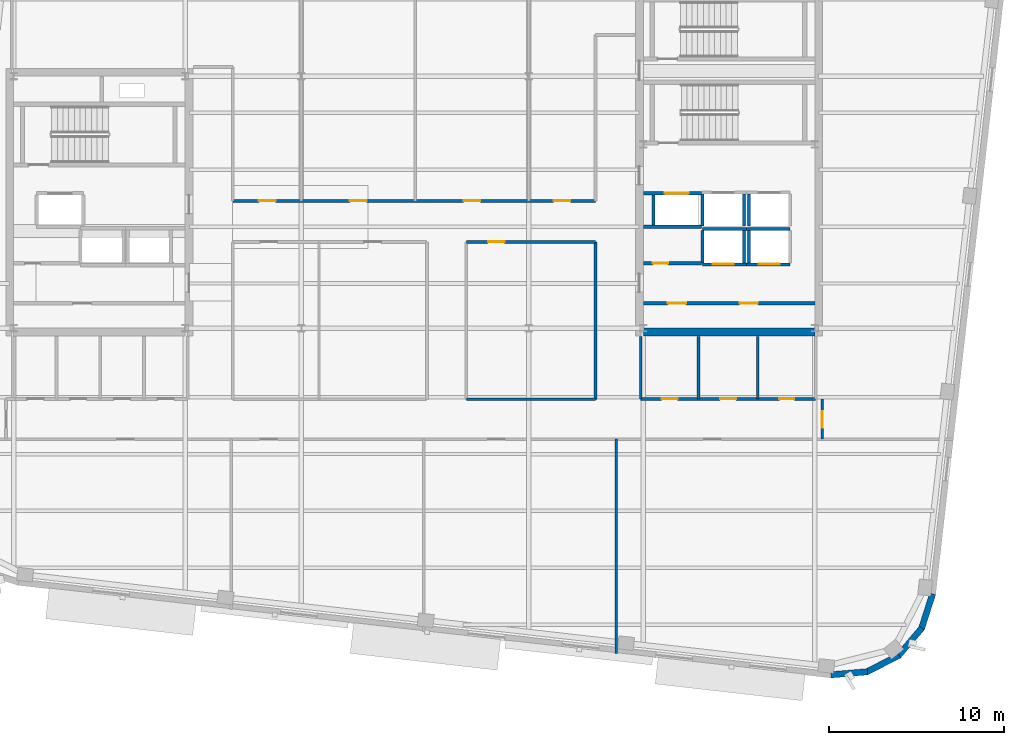
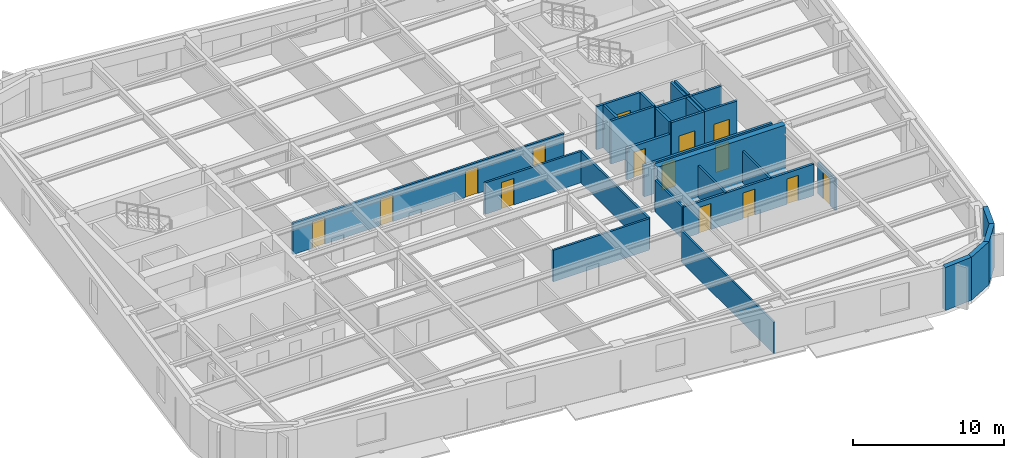
# One storey, part 7 of 14: 30 walls, 15 doors, 15 openings.
"""IFC4 building model written with IfcOpenShell, lengths in metres."""

from ifc_helpers import new_model, si_unit, direction, frame, frame_2d, origin, place, context, subcontext, project, spatial, rectangle, extrude, material, layer, layer_set, type_object, element, fill, save


model = new_model("IFC4")

# Units and contexts
model_context = context("Model", 3, precision=1e-05, world=origin(), true_north=direction((0.0, 1.0)))
body_context = subcontext(model_context, "Body", "Model", "MODEL_VIEW")
ifc_project = project(units=[si_unit("LENGTHUNIT", "METRE"), si_unit("AREAUNIT", "SQUARE_METRE"), si_unit("VOLUMEUNIT", "CUBIC_METRE"), si_unit("PLANEANGLEUNIT", "RADIAN"), si_unit("MASSUNIT", "GRAM", prefix="KILO")], contexts=[model_context])

# Site, building, storey
site_placement = place(None, origin())
site = spatial("IfcSite", under=ifc_project, at=site_placement, CompositionType="ELEMENT")
building_placement = place(site_placement, origin())
building = spatial("IfcBuilding", under=site, at=building_placement, Name="Kolvaren Arena Tower", CompositionType="ELEMENT")
storey_placement = place(building_placement, frame((0.0, 0.0, 224.699951171875)))
storey = spatial("IfcBuildingStorey", under=building, at=storey_placement, Name="L54", CompositionType="ELEMENT", Elevation=224.699951171875)

# Wall, openings, doors
ifc_material_1 = material(Name="Gypsum board acoustic assembly", Category="gypsum")
ifc_layer_1 = layer(ifc_material_1, 0.159912109375)
ifc_layer_set_1 = layer_set([ifc_layer_1], Name="Gypsum board acoustic assembly")
wall_type_1 = type_object("IfcWallType", Name="CORR-160", PredefinedType="PARTITIONING", material=ifc_layer_set_1)
wall_1_placement = place(storey_placement, frame((27.080078125, 26.719970703125, 0.0), z_axis=(0.0, 0.0, 1.0), x_axis=(1.0, 0.0, 0.0)))
wall_1 = element("IfcWall", 1, at=wall_1_placement, inside=storey, type_object=wall_type_1, Name="Interior Partition Wall (L54)", PredefinedType="PARTITIONING", context=body_context, shape_type="SweptSolid", body=[
    extrude(rectangle(XDim=20.739990234375, YDim=0.159912109375, at=frame_2d((10.3701171875, 0.0))), origin(), (0.0, 0.0, 1.0), 2.5400390625),
])
opening_1_placement = place(wall_1_placement, frame((1.4951171875, 0.0, 0.0)))
opening_1 = element("IfcOpeningElement", 2, at=opening_1_placement, cuts=wall_1, Name="Opening D05", PredefinedType="OPENING", context=body_context, shape_type="SweptSolid", body=[
    extrude(rectangle(XDim=0.949951171875, YDim=2.14990234375, at=frame_2d((0.47509765625, 1.074951171875))), frame((0.0, 0.08984375, 0.0), z_axis=(0.0, -1.0, 0.0), x_axis=(1.0, 0.0, 0.0)), (0.0, 0.0, 1.0), 0.179931640625),
])
opening_2_placement = place(wall_1_placement, frame((6.695068359375, 0.0, 0.0)))
opening_2 = element("IfcOpeningElement", 3, at=opening_2_placement, cuts=wall_1, Name="Opening D05", PredefinedType="OPENING", context=body_context, shape_type="SweptSolid", body=[
    extrude(rectangle(XDim=0.949951171875, YDim=2.14990234375, at=frame_2d((0.47509765625, 1.074951171875))), frame((0.0, 0.08984375, 0.0), z_axis=(0.0, -1.0, 0.0), x_axis=(1.0, 0.0, 0.0)), (0.0, 0.0, 1.0), 0.179931640625),
])
opening_3_placement = place(wall_1_placement, frame((13.195068359375, 0.0, 0.0)))
opening_3 = element("IfcOpeningElement", 4, at=opening_3_placement, cuts=wall_1, Name="Opening D05", PredefinedType="OPENING", context=body_context, shape_type="SweptSolid", body=[
    extrude(rectangle(XDim=0.949951171875, YDim=2.14990234375, at=frame_2d((0.47509765625, 1.074951171875))), frame((0.0, 0.08984375, 0.0), z_axis=(0.0, -1.0, 0.0), x_axis=(1.0, 0.0, 0.0)), (0.0, 0.0, 1.0), 0.179931640625),
])
opening_4_placement = place(wall_1_placement, frame((18.344970703125, 0.0, 0.0)))
opening_4 = element("IfcOpeningElement", 5, at=opening_4_placement, cuts=wall_1, Name="Opening D05", PredefinedType="OPENING", context=body_context, shape_type="SweptSolid", body=[
    extrude(rectangle(XDim=0.949951171875, YDim=2.14990234375, at=frame_2d((0.47509765625, 1.074951171875))), frame((0.0, 0.08984375, 0.0), z_axis=(0.0, -1.0, 0.0), x_axis=(1.0, 0.0, 0.0)), (0.0, 0.0, 1.0), 0.179931640625),
])
ifc_material_2 = material(Name="Solid-core oak acoustic office door", Category="wood")
door_type_1 = type_object("IfcDoorType", Name="DOOR-OF-095", OperationType="NOTDEFINED", PredefinedType="DOOR", material=ifc_material_2)
door_1_placement = place(opening_1_placement, origin())
door_1 = element("IfcDoor", 6, at=door_1_placement, inside=storey, type_object=door_type_1, Name="Breakout Pantry and Kitchen Door (L54)", OperationType="SINGLE_SWING_RIGHT", OverallHeight=2.14990234375, OverallWidth=0.949951171875, PredefinedType="DOOR", context=body_context, shape_type="SweptSolid", body=[
    extrude(rectangle(XDim=0.949951171875, YDim=2.14990234375, at=frame_2d((0.47509765625, 1.074951171875))), frame((0.0, 0.02490234375, 0.0), z_axis=(0.0, -1.0, 0.0), x_axis=(1.0, 0.0, 0.0)), (0.0, 0.0, 1.0), 0.050048828125),
])
fill(opening_1, door_1)
door_2_placement = place(opening_2_placement, origin())
door_2 = element("IfcDoor", 7, at=door_2_placement, inside=storey, type_object=door_type_1, Name="Wellness Room Door (L54)", OperationType="SINGLE_SWING_LEFT", OverallHeight=2.14990234375, OverallWidth=0.949951171875, PredefinedType="DOOR", context=body_context, shape_type="SweptSolid", body=[
    extrude(rectangle(XDim=0.949951171875, YDim=2.14990234375, at=frame_2d((0.47509765625, 1.074951171875))), frame((0.0, 0.02490234375, 0.0), z_axis=(0.0, -1.0, 0.0), x_axis=(1.0, 0.0, 0.0)), (0.0, 0.0, 1.0), 0.050048828125),
])
fill(opening_2, door_2)
door_3_placement = place(opening_3_placement, origin())
door_3 = element("IfcDoor", 8, at=door_3_placement, inside=storey, type_object=door_type_1, Name="Executive Office Door (L54)", OperationType="SINGLE_SWING_RIGHT", OverallHeight=2.14990234375, OverallWidth=0.949951171875, PredefinedType="DOOR", context=body_context, shape_type="SweptSolid", body=[
    extrude(rectangle(XDim=0.949951171875, YDim=2.14990234375, at=frame_2d((0.47509765625, 1.074951171875))), frame((0.0, 0.02490234375, 0.0), z_axis=(0.0, -1.0, 0.0), x_axis=(1.0, 0.0, 0.0)), (0.0, 0.0, 1.0), 0.050048828125),
])
fill(opening_3, door_3)
door_4_placement = place(opening_4_placement, origin())
door_4 = element("IfcDoor", 9, at=door_4_placement, inside=storey, type_object=door_type_1, Name="Executive Office Door (L54)", OperationType="SINGLE_SWING_LEFT", OverallHeight=2.14990234375, OverallWidth=0.949951171875, PredefinedType="DOOR", context=body_context, shape_type="SweptSolid", body=[
    extrude(rectangle(XDim=0.949951171875, YDim=2.14990234375, at=frame_2d((0.47509765625, 1.074951171875))), frame((0.0, 0.02490234375, 0.0), z_axis=(0.0, -1.0, 0.0), x_axis=(1.0, 0.0, 0.0)), (0.0, 0.0, 1.0), 0.050048828125),
])
fill(opening_4, door_4)

# Wall, opening, door
wall_2_placement = place(storey_placement, frame((40.43994140625, 24.3798828125, 0.0), z_axis=(0.0, 0.0, 1.0), x_axis=(1.0, 0.0, 0.0)))
wall_2 = element("IfcWall", 10, at=wall_2_placement, inside=storey, type_object=wall_type_1, Name="Interior Partition Wall (L54)", PredefinedType="PARTITIONING", context=body_context, shape_type="SweptSolid", body=[
    extrude(rectangle(XDim=7.360107421875, YDim=0.159912109375, at=frame_2d((3.68017578125, 0.0))), origin(), (0.0, 0.0, 1.0), 2.5400390625),
])
opening_5_placement = place(wall_2_placement, frame((1.235107421875, 0.0, 0.0)))
opening_5 = element("IfcOpeningElement", 11, at=opening_5_placement, cuts=wall_2, Name="Opening D05", PredefinedType="OPENING", context=body_context, shape_type="SweptSolid", body=[
    extrude(rectangle(XDim=0.949951171875, YDim=2.14990234375, at=frame_2d((0.47509765625, 1.074951171875))), frame((0.0, 0.08984375, 0.0), z_axis=(0.0, -1.0, 0.0), x_axis=(1.0, 0.0, 0.0)), (0.0, 0.0, 1.0), 0.179931640625),
])
door_5_placement = place(opening_5_placement, origin())
door_5 = element("IfcDoor", 12, at=door_5_placement, inside=storey, type_object=door_type_1, Name="Breakout Pantry and Kitchen Door (L54)", OperationType="SINGLE_SWING_RIGHT", OverallHeight=2.14990234375, OverallWidth=0.949951171875, PredefinedType="DOOR", context=body_context, shape_type="SweptSolid", body=[
    extrude(rectangle(XDim=0.949951171875, YDim=2.14990234375, at=frame_2d((0.47509765625, 1.074951171875))), frame((0.0, 0.02490234375, 0.0), z_axis=(0.0, -1.0, 0.0), x_axis=(1.0, 0.0, 0.0)), (0.0, 0.0, 1.0), 0.050048828125),
])
fill(opening_5, door_5)

# Walls
wall_3_placement = place(storey_placement, frame((40.43994140625, 15.3798828125, 0.0), z_axis=(0.0, 0.0, 1.0), x_axis=(1.0, 0.0, 0.0)))
element("IfcWall", 13, at=wall_3_placement, inside=storey, type_object=wall_type_1, Name="Interior Partition Wall (L54)", PredefinedType="PARTITIONING", context=body_context, shape_type="SweptSolid", body=[
    extrude(rectangle(XDim=7.360107421875, YDim=0.159912109375, at=frame_2d((3.68017578125, 0.0))), origin(), (0.0, 0.0, 1.0), 2.5400390625),
])
wall_4_placement = place(storey_placement, frame((47.820068359375, 15.3798828125, 0.0), z_axis=(0.0, 0.0, 1.0), x_axis=(0.0, 1.0, 0.0)))
element("IfcWall", 14, at=wall_4_placement, inside=storey, type_object=wall_type_1, Name="Interior Partition Wall (L54)", PredefinedType="PARTITIONING", context=body_context, shape_type="SweptSolid", body=[
    extrude(rectangle(XDim=9.0, YDim=0.159912109375, at=frame_2d((4.5, 0.0))), origin(), (0.0, 0.0, 1.0), 2.5400390625),
])

# Wall, opening, door
wall_5_placement = place(storey_placement, frame((60.780029296875, 13.10009765625, 0.0), z_axis=(0.0, 0.0, 1.0), x_axis=(0.0, 1.0, 0.0)))
wall_5 = element("IfcWall", 15, at=wall_5_placement, inside=storey, type_object=wall_type_1, Name="Interior Partition Wall (L54)", PredefinedType="PARTITIONING", context=body_context, shape_type="SweptSolid", body=[
    extrude(rectangle(XDim=2.2998046875, YDim=0.159912109375, at=frame_2d((1.14990234375, 0.0))), origin(), (0.0, 0.0, 1.0), 2.5400390625),
])
opening_6_placement = place(wall_5_placement, frame((0.64990234375, 0.0, 0.0)))
opening_6 = element("IfcOpeningElement", 16, at=opening_6_placement, cuts=wall_5, Name="Opening D05", PredefinedType="OPENING", context=body_context, shape_type="SweptSolid", body=[
    extrude(rectangle(XDim=0.949951171875, YDim=2.14990234375, at=frame_2d((0.47509765625, 1.074951171875))), frame((0.0, 0.08984375, 0.0), z_axis=(0.0, -1.0, 0.0), x_axis=(1.0, 0.0, 0.0)), (0.0, 0.0, 1.0), 0.179931640625),
])
door_6_placement = place(opening_6_placement, origin())
door_6 = element("IfcDoor", 17, at=door_6_placement, inside=storey, type_object=door_type_1, Name="East Wing Studio Door (L54)", OperationType="SINGLE_SWING_RIGHT", OverallHeight=2.14990234375, OverallWidth=0.949951171875, PredefinedType="DOOR", context=body_context, shape_type="SweptSolid", body=[
    extrude(rectangle(XDim=0.949951171875, YDim=2.14990234375, at=frame_2d((0.47509765625, 1.074951171875))), frame((0.0, 0.02490234375, 0.0), z_axis=(0.0, -1.0, 0.0), x_axis=(1.0, 0.0, 0.0)), (0.0, 0.0, 1.0), 0.050048828125),
])
fill(opening_6, door_6)

# Walls
ifc_material_3 = material(Name="Concrete 55 MPa", Category="concrete")
ifc_layer_2 = layer(ifc_material_3, 0.449951171875)
ifc_layer_set_2 = layer_set([ifc_layer_2], Name="Concrete 55 MPa")
wall_type_2 = type_object("IfcWallType", Name="CWALL-450", PredefinedType="SHEAR", material=ifc_layer_set_2)
wall_6_placement = place(storey_placement, frame((50.550048828125, 19.22509765625, -0.27001953125), z_axis=(0.0, 0.0, 1.0), x_axis=(1.0, 0.0, 0.0)))
element("IfcWall", 18, at=wall_6_placement, inside=storey, type_object=wall_type_2, Name="Core Shear Wall EC-SOUTH (L54)", PredefinedType="SHEAR", context=body_context, shape_type="SweptSolid", body=[
    extrude(rectangle(XDim=9.800048828125, YDim=0.449951171875, at=frame_2d((4.89990234375, 0.0))), origin(), (0.0, 0.0, 1.0), 3.75),
])
ifc_material_4 = material(Name="Precast concrete C50/60", Category="concrete")
ifc_layer_3 = layer(ifc_material_4, 0.360107421875)
ifc_layer_set_3 = layer_set([ifc_layer_3], Name="Precast concrete C50/60")
wall_type_3 = type_object("IfcWallType", Name="EXT-PIER2", PredefinedType="SOLIDWALL", material=ifc_layer_set_3)
wall_7_placement = place(storey_placement, frame((63.370361328125, -0.199462890625, 0.0), z_axis=(0.0, 0.0, 1.0), x_axis=(-0.996562518477, -0.082844111233, 0.0)))
element("IfcWall", 19, at=wall_7_placement, inside=storey, type_object=wall_type_3, Name="Exterior Precast Masonry-Frame Wall (L54)", PredefinedType="SOLIDWALL", context=body_context, shape_type="SweptSolid", body=[
    extrude(rectangle(XDim=2.107177734375, YDim=0.360107421875, at=frame_2d((1.0537109375, 0.0))), origin(), (0.0, 0.0, 1.0), 3.47998046875),
])
for number, where, z_axis, x_axis, name in (
    (20, (65.176025390625, 0.745849609375, 0.0), (0.0, 0.0, 1.0), (-0.888985992199, -0.457934390142, 0.0), "Exterior Precast Masonry-Frame Wall (L54)"),
    (21, (66.482421875, 2.310302734375, 0.0), (0.0, 0.0, 1.0), (-0.646103249464, -0.763250018691, 0.0), "Exterior Precast Masonry-Frame Wall (L54)"),
):
    element("IfcWall", number, at=place(storey_placement, frame(where, z_axis=z_axis, x_axis=x_axis)), inside=storey, type_object=wall_type_3, Name=name, PredefinedType="SOLIDWALL", context=body_context, shape_type="SweptSolid", body=[
        extrude(rectangle(XDim=2.10693359375, YDim=0.360107421875, at=frame_2d((1.053466796875, 0.0))), origin(), (0.0, 0.0, 1.0), 3.47998046875),
    ])
wall_8_placement = place(storey_placement, frame((67.0908203125, 4.255615234375, 0.0), z_axis=(0.0, 0.0, 1.0), x_axis=(-0.304838787518, -0.952403965565, 0.0)))
element("IfcWall", 22, at=wall_8_placement, inside=storey, type_object=wall_type_3, Name="Exterior Precast Masonry-Frame Wall (L54)", PredefinedType="SOLIDWALL", context=body_context, shape_type="SweptSolid", body=[
    extrude(rectangle(XDim=2.107177734375, YDim=0.360107421875, at=frame_2d((1.0537109375, 0.0))), origin(), (0.0, 0.0, 1.0), 3.47998046875),
])

# Wall, openings, doors
ifc_material_5 = material(Name="Concrete 40 MPa", Category="concrete")
ifc_layer_4 = layer(ifc_material_5, 0.199951171875)
ifc_layer_set_4 = layer_set([ifc_layer_4], Name="Concrete 40 MPa")
wall_type_4 = type_object("IfcWallType", Name="LOBBY-200", PredefinedType="SOLIDWALL", material=ifc_layer_set_4)
wall_9_placement = place(storey_placement, frame((50.550048828125, 20.8798828125, 0.0), z_axis=(0.0, 0.0, 1.0), x_axis=(1.0, 0.0, 0.0)))
wall_9 = element("IfcWall", 23, at=wall_9_placement, inside=storey, type_object=wall_type_4, Name="Core Shaft Wall (L54)", PredefinedType="SOLIDWALL", context=body_context, shape_type="SweptSolid", body=[
    extrude(rectangle(XDim=9.800048828125, YDim=0.199951171875, at=frame_2d((4.89990234375, 0.0))), origin(), (0.0, 0.0, 1.0), 2.5400390625),
])
opening_7_placement = place(wall_9_placement, frame((1.39990234375, 0.0, 0.0)))
opening_7 = element("IfcOpeningElement", 24, at=opening_7_placement, cuts=wall_9, Name="Opening D04", PredefinedType="OPENING", context=body_context, shape_type="SweptSolid", body=[
    extrude(rectangle(XDim=1.050048828125, YDim=2.14990234375, at=frame_2d((0.52490234375, 1.074951171875))), frame((0.0, 0.10986328125, 0.0), z_axis=(0.0, -1.0, 0.0), x_axis=(1.0, 0.0, 0.0)), (0.0, 0.0, 1.0), 0.219970703125),
])
opening_8_placement = place(wall_9_placement, frame((5.5, 0.0, 0.0)))
opening_8 = element("IfcOpeningElement", 25, at=opening_8_placement, cuts=wall_9, Name="Opening D04", PredefinedType="OPENING", context=body_context, shape_type="SweptSolid", body=[
    extrude(rectangle(XDim=1.050048828125, YDim=2.14990234375, at=frame_2d((0.52490234375, 1.074951171875))), frame((0.0, 0.10986328125, 0.0), z_axis=(0.0, -1.0, 0.0), x_axis=(1.0, 0.0, 0.0)), (0.0, 0.0, 1.0), 0.219970703125),
])
ifc_material_6 = material(Name="Fire-rated steel lobby door", Category="steel")
door_type_2 = type_object("IfcDoorType", Name="DOOR-FF-105", OperationType="NOTDEFINED", PredefinedType="DOOR", material=ifc_material_6)
door_7_placement = place(opening_7_placement, origin())
door_7 = element("IfcDoor", 26, at=door_7_placement, inside=storey, type_object=door_type_2, Name="East Telecom Room Fire Door (L54)", OperationType="SINGLE_SWING_RIGHT", OverallHeight=2.14990234375, OverallWidth=1.050048828125, PredefinedType="DOOR", context=body_context, shape_type="SweptSolid", body=[
    extrude(rectangle(XDim=1.050048828125, YDim=2.14990234375, at=frame_2d((0.52490234375, 1.074951171875))), frame((0.0, 0.02490234375, 0.0), z_axis=(0.0, -1.0, 0.0), x_axis=(1.0, 0.0, 0.0)), (0.0, 0.0, 1.0), 0.050048828125),
])
fill(opening_7, door_7)
door_8_placement = place(opening_8_placement, origin())
door_8 = element("IfcDoor", 27, at=door_8_placement, inside=storey, type_object=door_type_2, Name="East Records Room Fire Door (L54)", OperationType="SINGLE_SWING_LEFT", OverallHeight=2.14990234375, OverallWidth=1.050048828125, PredefinedType="DOOR", context=body_context, shape_type="SweptSolid", body=[
    extrude(rectangle(XDim=1.050048828125, YDim=2.14990234375, at=frame_2d((0.52490234375, 1.074951171875))), frame((0.0, 0.02490234375, 0.0), z_axis=(0.0, -1.0, 0.0), x_axis=(1.0, 0.0, 0.0)), (0.0, 0.0, 1.0), 0.050048828125),
])
fill(opening_8, door_8)

# Wall, opening, door
wall_10_placement = place(storey_placement, frame((50.550048828125, 23.159912109375, 0.0), z_axis=(0.0, 0.0, 1.0), x_axis=(1.0, 0.0, 0.0)))
wall_10 = element("IfcWall", 28, at=wall_10_placement, inside=storey, type_object=wall_type_4, Name="Core Shaft Wall (L54)", PredefinedType="SOLIDWALL", context=body_context, shape_type="SweptSolid", body=[
    extrude(rectangle(XDim=3.329833984375, YDim=0.199951171875, at=frame_2d((1.6650390625, 0.0))), origin(), (0.0, 0.0, 1.0), 2.5400390625),
])
opening_9_placement = place(wall_10_placement, frame((0.550048828125, 0.0, 0.0)))
opening_9 = element("IfcOpeningElement", 29, at=opening_9_placement, cuts=wall_10, Name="Opening D09", PredefinedType="OPENING", context=body_context, shape_type="SweptSolid", body=[
    extrude(rectangle(XDim=0.860107421875, YDim=2.050048828125, at=frame_2d((0.43017578125, 1.02490234375))), frame((0.0, 0.10986328125, 0.0), z_axis=(0.0, -1.0, 0.0), x_axis=(1.0, 0.0, 0.0)), (0.0, 0.0, 1.0), 0.219970703125),
])
ifc_material_7 = material(Name="Fire-rated steel riser access door", Category="steel")
door_type_3 = type_object("IfcDoorType", Name="DOOR-RS-086", OperationType="NOTDEFINED", PredefinedType="DOOR", material=ifc_material_7)
door_9_placement = place(opening_9_placement, origin())
door_9 = element("IfcDoor", 30, at=door_9_placement, inside=storey, type_object=door_type_3, Name="East AV Riser Closet Door (L54)", OperationType="SINGLE_SWING_LEFT", OverallHeight=2.050048828125, OverallWidth=0.860107421875, PredefinedType="DOOR", context=body_context, shape_type="SweptSolid", body=[
    extrude(rectangle(XDim=0.860107421875, YDim=2.050048828125, at=frame_2d((0.43017578125, 1.02490234375))), frame((0.0, 0.02490234375, 0.0), z_axis=(0.0, -1.0, 0.0), x_axis=(1.0, 0.0, 0.0)), (0.0, 0.0, 1.0), 0.050048828125),
])
fill(opening_9, door_9)

# Walls
ifc_material_8 = material(Name="Gypsum board partition assembly", Category="gypsum")
ifc_layer_5 = layer(ifc_material_8, 0.135009765625)
ifc_layer_set_5 = layer_set([ifc_layer_5], Name="Gypsum board partition assembly")
wall_type_5 = type_object("IfcWallType", Name="PART-135", PredefinedType="PARTITIONING", material=ifc_layer_set_5)
wall_11_placement = place(storey_placement, frame((49.0, 0.846435546875, 0.0), z_axis=(0.0, 0.0, 1.0), x_axis=(0.0, 1.0, 0.0)))
element("IfcWall", 31, at=wall_11_placement, inside=storey, type_object=wall_type_5, Name="Interior Partition Wall (L54)", PredefinedType="PARTITIONING", context=body_context, shape_type="SweptSolid", body=[
    extrude(rectangle(XDim=12.253662109375, YDim=0.135009765625, at=frame_2d((6.126953125, 0.0))), origin(), (0.0, 0.0, 1.0), 2.5400390625),
])
ifc_material_9 = material(Name="Concrete 45 MPa", Category="concrete")
ifc_layer_6 = layer(ifc_material_9, 0.25)
ifc_layer_set_6 = layer_set([ifc_layer_6], Name="Concrete 45 MPa")
wall_type_6 = type_object("IfcWallType", Name="SHAFT-250", PredefinedType="SOLIDWALL", material=ifc_layer_set_6)
wall_12_placement = place(storey_placement, frame((53.93994140625, 25.10498046875, 0.0), z_axis=(0.0, 0.0, 1.0), x_axis=(1.0, 0.0, 0.0)))
element("IfcWall", 32, at=wall_12_placement, inside=storey, type_object=wall_type_6, Name="Core Shaft Wall (L54)", PredefinedType="SOLIDWALL", context=body_context, shape_type="SweptSolid", body=[
    extrude(rectangle(XDim=2.5, YDim=0.179931640625, at=frame_2d((1.25, 0.0))), origin(), (0.0, 0.0, 1.0), 3.47998046875),
])

# Wall, opening, door
wall_13_placement = place(storey_placement, frame((53.93994140625, 23.094970703125, 0.0), z_axis=(0.0, 0.0, 1.0), x_axis=(1.0, 0.0, 0.0)))
wall_13 = element("IfcWall", 33, at=wall_13_placement, inside=storey, type_object=wall_type_6, Name="Core Shaft Wall (L54)", PredefinedType="SOLIDWALL", context=body_context, shape_type="SweptSolid", body=[
    extrude(rectangle(XDim=2.5, YDim=0.179931640625, at=frame_2d((1.25, 0.0))), origin(), (0.0, 0.0, 1.0), 3.47998046875),
])
opening_10_placement = place(wall_13_placement, frame((0.580078125, 0.0, 0.0)))
opening_10 = element("IfcOpeningElement", 34, at=opening_10_placement, cuts=wall_13, Name="Opening LD1", PredefinedType="OPENING", context=body_context, shape_type="SweptSolid", body=[
    extrude(rectangle(XDim=1.199951171875, YDim=2.199951171875, at=frame_2d((0.60009765625, 1.10009765625))), frame((0.0, 0.099853515625, 0.0), z_axis=(0.0, -1.0, 0.0), x_axis=(1.0, 0.0, 0.0)), (0.0, 0.0, 1.0), 0.199951171875),
])
ifc_material_10 = material(Name="Stainless steel passenger lift landing door", Category="steel")
door_type_4 = type_object("IfcDoorType", Name="DOOR-LD-120", OperationType="DOUBLE_DOOR_SLIDING", PredefinedType="DOOR", material=ifc_material_10)
door_10_placement = place(opening_10_placement, origin())
door_10 = element("IfcDoor", 35, at=door_10_placement, inside=storey, type_object=door_type_4, Name="Lift EL-HR1 Landing Door (L54)", OperationType="DOUBLE_DOOR_SLIDING", OverallHeight=2.199951171875, OverallWidth=1.199951171875, PredefinedType="DOOR", context=body_context, shape_type="SweptSolid", body=[
    extrude(rectangle(XDim=1.199951171875, YDim=2.199951171875, at=frame_2d((0.60009765625, 1.10009765625))), frame((0.0, 0.02490234375, 0.0), z_axis=(0.0, -1.0, 0.0), x_axis=(1.0, 0.0, 0.0)), (0.0, 0.0, 1.0), 0.050048828125),
])
fill(opening_10, door_10)

# Walls
for number, where, z_axis, x_axis, name in (
    (36, (53.93994140625, 23.18505859375, 0.0), (0.0, 0.0, 1.0), (0.0, 1.0, 0.0), "Core Shaft Wall (L54)"),
    (37, (56.300048828125, 23.18505859375, 0.0), (0.0, 0.0, 1.0), (0.0, 1.0, 0.0), "Core Shaft Wall (L54)"),
):
    element("IfcWall", number, at=place(storey_placement, frame(where, z_axis=z_axis, x_axis=x_axis)), inside=storey, type_object=wall_type_6, Name=name, PredefinedType="SOLIDWALL", context=body_context, shape_type="SweptSolid", body=[
        extrude(rectangle(XDim=1.829833984375, YDim=0.179931640625, at=frame_2d((0.9150390625, 0.0))), origin(), (0.0, 0.0, 1.0), 3.47998046875),
    ])
wall_14_placement = place(storey_placement, frame((56.43994140625, 25.10498046875, 0.0), z_axis=(0.0, 0.0, 1.0), x_axis=(1.0, 0.0, 0.0)))
element("IfcWall", 38, at=wall_14_placement, inside=storey, type_object=wall_type_6, Name="Core Shaft Wall (L54)", PredefinedType="SOLIDWALL", context=body_context, shape_type="SweptSolid", body=[
    extrude(rectangle(XDim=2.5, YDim=0.179931640625, at=frame_2d((1.25, 0.0))), origin(), (0.0, 0.0, 1.0), 3.47998046875),
])

# Wall, opening, door
wall_15_placement = place(storey_placement, frame((56.43994140625, 23.094970703125, 0.0), z_axis=(0.0, 0.0, 1.0), x_axis=(1.0, 0.0, 0.0)))
wall_15 = element("IfcWall", 39, at=wall_15_placement, inside=storey, type_object=wall_type_6, Name="Core Shaft Wall (L54)", PredefinedType="SOLIDWALL", context=body_context, shape_type="SweptSolid", body=[
    extrude(rectangle(XDim=2.5, YDim=0.179931640625, at=frame_2d((1.25, 0.0))), origin(), (0.0, 0.0, 1.0), 3.47998046875),
])
opening_11_placement = place(wall_15_placement, frame((0.719970703125, 0.0, 0.0)))
opening_11 = element("IfcOpeningElement", 40, at=opening_11_placement, cuts=wall_15, Name="Opening LD1", PredefinedType="OPENING", context=body_context, shape_type="SweptSolid", body=[
    extrude(rectangle(XDim=1.199951171875, YDim=2.199951171875, at=frame_2d((0.60009765625, 1.10009765625))), frame((0.0, 0.099853515625, 0.0), z_axis=(0.0, -1.0, 0.0), x_axis=(1.0, 0.0, 0.0)), (0.0, 0.0, 1.0), 0.199951171875),
])
door_11_placement = place(opening_11_placement, origin())
door_11 = element("IfcDoor", 41, at=door_11_placement, inside=storey, type_object=door_type_4, Name="Lift EL-HR2 Landing Door (L54)", OperationType="DOUBLE_DOOR_SLIDING", OverallHeight=2.199951171875, OverallWidth=1.199951171875, PredefinedType="DOOR", context=body_context, shape_type="SweptSolid", body=[
    extrude(rectangle(XDim=1.199951171875, YDim=2.199951171875, at=frame_2d((0.60009765625, 1.10009765625))), frame((0.0, 0.02490234375, 0.0), z_axis=(0.0, -1.0, 0.0), x_axis=(1.0, 0.0, 0.0)), (0.0, 0.0, 1.0), 0.050048828125),
])
fill(opening_11, door_11)

# Walls
wall_16_placement = place(storey_placement, frame((56.580078125, 23.18505859375, 0.0), z_axis=(0.0, 0.0, 1.0), x_axis=(0.0, 1.0, 0.0)))
element("IfcWall", 42, at=wall_16_placement, inside=storey, type_object=wall_type_6, Name="Core Shaft Wall (L54)", PredefinedType="SOLIDWALL", context=body_context, shape_type="SweptSolid", body=[
    extrude(rectangle(XDim=1.829833984375, YDim=0.179931640625, at=frame_2d((0.9150390625, 0.0))), origin(), (0.0, 0.0, 1.0), 3.47998046875),
])
for number, where, z_axis, x_axis, name in (
    (43, (53.93994140625, 25.284912109375, 0.0), (0.0, 0.0, 1.0), (0.0, 1.0, 0.0), "Core Shaft Wall (L54)"),
    (44, (56.300048828125, 25.284912109375, 0.0), (0.0, 0.0, 1.0), (0.0, 1.0, 0.0), "Core Shaft Wall (L54)"),
    (45, (56.580078125, 25.284912109375, 0.0), (0.0, 0.0, 1.0), (0.0, 1.0, 0.0), "Core Shaft Wall (L54)"),
):
    element("IfcWall", number, at=place(storey_placement, frame(where, z_axis=z_axis, x_axis=x_axis)), inside=storey, type_object=wall_type_6, Name=name, PredefinedType="SOLIDWALL", context=body_context, shape_type="SweptSolid", body=[
        extrude(rectangle(XDim=1.830078125, YDim=0.179931640625, at=frame_2d((0.9150390625, 0.0))), origin(), (0.0, 0.0, 1.0), 3.47998046875),
    ])

# Wall, opening, door
wall_17_placement = place(storey_placement, frame((50.550048828125, 27.155029296875, 0.0), z_axis=(0.0, 0.0, 1.0), x_axis=(1.0, 0.0, 0.0)))
wall_17 = element("IfcWall", 46, at=wall_17_placement, inside=storey, type_object=wall_type_6, Name="Core Shaft Wall (L54)", PredefinedType="SOLIDWALL", context=body_context, shape_type="SweptSolid", body=[
    extrude(rectangle(XDim=3.31494140625, YDim=0.179931640625, at=frame_2d((1.657470703125, 0.0))), origin(), (0.0, 0.0, 1.0), 3.47998046875),
])
opening_12_placement = place(wall_17_placement, frame((1.235107421875, 0.0, 0.0)))
opening_12 = element("IfcOpeningElement", 47, at=opening_12_placement, cuts=wall_17, Name="Opening LD2", PredefinedType="OPENING", context=body_context, shape_type="SweptSolid", body=[
    extrude(rectangle(XDim=1.35009765625, YDim=2.300048828125, at=frame_2d((0.675048828125, 1.14990234375))), frame((0.0, 0.099853515625, 0.0), z_axis=(0.0, -1.0, 0.0), x_axis=(1.0, 0.0, 0.0)), (0.0, 0.0, 1.0), 0.199951171875),
])
ifc_material_11 = material(Name="Stainless steel firefighter lift landing door", Category="steel")
door_type_5 = type_object("IfcDoorType", Name="DOOR-LD-135", OperationType="DOUBLE_DOOR_SLIDING", PredefinedType="DOOR", material=ifc_material_11)
door_12_placement = place(opening_12_placement, origin())
door_12 = element("IfcDoor", 48, at=door_12_placement, inside=storey, type_object=door_type_5, Name="Firefighter Lift FF-E1 Landing Door (L54)", OperationType="DOUBLE_DOOR_SLIDING", OverallHeight=2.300048828125, OverallWidth=1.35009765625, PredefinedType="DOOR", context=body_context, shape_type="SweptSolid", body=[
    extrude(rectangle(XDim=1.35009765625, YDim=2.300048828125, at=frame_2d((0.675048828125, 1.14990234375))), frame((0.0, 0.02490234375, 0.0), z_axis=(0.0, -1.0, 0.0), x_axis=(1.0, 0.0, 0.0)), (0.0, 0.0, 1.0), 0.050048828125),
])
fill(opening_12, door_12)

# Walls
wall_18_placement = place(storey_placement, frame((50.550048828125, 25.2451171875, 0.0), z_axis=(0.0, 0.0, 1.0), x_axis=(1.0, 0.0, 0.0)))
element("IfcWall", 49, at=wall_18_placement, inside=storey, type_object=wall_type_6, Name="Core Shaft Wall (L54)", PredefinedType="SOLIDWALL", context=body_context, shape_type="SweptSolid", body=[
    extrude(rectangle(XDim=3.31494140625, YDim=0.179931640625, at=frame_2d((1.657470703125, 0.0))), origin(), (0.0, 0.0, 1.0), 3.47998046875),
])
wall_19_placement = place(storey_placement, frame((51.1298828125, 25.3349609375, 0.0), z_axis=(0.0, 0.0, 1.0), x_axis=(0.0, 1.0, 0.0)))
element("IfcWall", 50, at=wall_19_placement, inside=storey, type_object=wall_type_6, Name="Core Shaft Wall (L54)", PredefinedType="SOLIDWALL", context=body_context, shape_type="SweptSolid", body=[
    extrude(rectangle(XDim=1.72998046875, YDim=0.179931640625, at=frame_2d((0.864990234375, 0.0))), origin(), (0.0, 0.0, 1.0), 3.47998046875),
])

# Wall, openings, doors
wall_20_placement = place(storey_placement, frame((50.39990234375, 15.39990234375, 0.0), z_axis=(0.0, 0.0, 1.0), x_axis=(1.0, 0.0, 0.0)))
wall_20 = element("IfcWall", 51, at=wall_20_placement, inside=storey, type_object=wall_type_6, Name="Interior Partition Wall (L54)", PredefinedType="SOLIDWALL", context=body_context, shape_type="SweptSolid", body=[
    extrude(rectangle(XDim=10.0, YDim=0.179931640625, at=frame_2d((5.0, 0.0))), origin(), (0.0, 0.0, 1.0), 2.5400390625),
])
opening_13_placement = place(wall_20_placement, frame((1.18994140625, 0.0, 0.0)))
opening_13 = element("IfcOpeningElement", 52, at=opening_13_placement, cuts=wall_20, Name="Opening D07", PredefinedType="OPENING", context=body_context, shape_type="SweptSolid", body=[
    extrude(rectangle(XDim=0.919921875, YDim=2.10009765625, at=frame_2d((0.4599609375, 1.050048828125))), frame((0.0, 0.099853515625, 0.0), z_axis=(0.0, -1.0, 0.0), x_axis=(1.0, 0.0, 0.0)), (0.0, 0.0, 1.0), 0.199951171875),
])
opening_14_placement = place(wall_20_placement, frame((4.5400390625, 0.0, 0.0)))
opening_14 = element("IfcOpeningElement", 53, at=opening_14_placement, cuts=wall_20, Name="Opening D07", PredefinedType="OPENING", context=body_context, shape_type="SweptSolid", body=[
    extrude(rectangle(XDim=0.919921875, YDim=2.10009765625, at=frame_2d((0.4599609375, 1.050048828125))), frame((0.0, 0.099853515625, 0.0), z_axis=(0.0, -1.0, 0.0), x_axis=(1.0, 0.0, 0.0)), (0.0, 0.0, 1.0), 0.199951171875),
])
opening_15_placement = place(wall_20_placement, frame((7.919921875, 0.0, 0.0)))
opening_15 = element("IfcOpeningElement", 54, at=opening_15_placement, cuts=wall_20, Name="Opening D09", PredefinedType="OPENING", context=body_context, shape_type="SweptSolid", body=[
    extrude(rectangle(XDim=0.860107421875, YDim=2.050048828125, at=frame_2d((0.43017578125, 1.02490234375))), frame((0.0, 0.099853515625, 0.0), z_axis=(0.0, -1.0, 0.0), x_axis=(1.0, 0.0, 0.0)), (0.0, 0.0, 1.0), 0.199951171875),
])
door_13_placement = place(opening_15_placement, origin())
door_13 = element("IfcDoor", 55, at=door_13_placement, inside=storey, type_object=door_type_3, Name="Mechanical Riser Closet Door (L54)", OperationType="SINGLE_SWING_RIGHT", OverallHeight=2.050048828125, OverallWidth=0.860107421875, PredefinedType="DOOR", context=body_context, shape_type="SweptSolid", body=[
    extrude(rectangle(XDim=0.860107421875, YDim=2.050048828125, at=frame_2d((0.43017578125, 1.02490234375))), frame((0.0, 0.02490234375, 0.0), z_axis=(0.0, -1.0, 0.0), x_axis=(1.0, 0.0, 0.0)), (0.0, 0.0, 1.0), 0.050048828125),
])
fill(opening_15, door_13)
ifc_material_12 = material(Name="Laminate universal washroom door", Category="wood")
door_type_6 = type_object("IfcDoorType", Name="DOOR-WC-092", OperationType="NOTDEFINED", PredefinedType="DOOR", material=ifc_material_12)
door_14_placement = place(opening_13_placement, origin())
door_14 = element("IfcDoor", 56, at=door_14_placement, inside=storey, type_object=door_type_6, Name="Staff Pantry Door (L54)", OperationType="SINGLE_SWING_RIGHT", OverallHeight=2.10009765625, OverallWidth=0.919921875, PredefinedType="DOOR", context=body_context, shape_type="SweptSolid", body=[
    extrude(rectangle(XDim=0.919921875, YDim=2.10009765625, at=frame_2d((0.4599609375, 1.050048828125))), frame((0.0, 0.02490234375, 0.0), z_axis=(0.0, -1.0, 0.0), x_axis=(1.0, 0.0, 0.0)), (0.0, 0.0, 1.0), 0.050048828125),
])
fill(opening_13, door_14)
door_15_placement = place(opening_14_placement, origin())
door_15 = element("IfcDoor", 57, at=door_15_placement, inside=storey, type_object=door_type_6, Name="Gender-Neutral Washroom Door (L54)", OperationType="SINGLE_SWING_LEFT", OverallHeight=2.10009765625, OverallWidth=0.919921875, PredefinedType="DOOR", context=body_context, shape_type="SweptSolid", body=[
    extrude(rectangle(XDim=0.919921875, YDim=2.10009765625, at=frame_2d((0.4599609375, 1.050048828125))), frame((0.0, 0.02490234375, 0.0), z_axis=(0.0, -1.0, 0.0), x_axis=(1.0, 0.0, 0.0)), (0.0, 0.0, 1.0), 0.050048828125),
])
fill(opening_14, door_15)

# Walls
ifc_material_13 = material(Name="Moisture-resistant gypsum assembly", Category="gypsum")
ifc_layer_7 = layer(ifc_material_13, 0.14990234375)
ifc_layer_set_7 = layer_set([ifc_layer_7], Name="Moisture-resistant gypsum assembly")
wall_type_7 = type_object("IfcWallType", Name="WETW-150", PredefinedType="PARTITIONING", material=ifc_layer_set_7)
for number, where, z_axis, x_axis, name in (
    (58, (53.699951171875, 15.39990234375, 0.0), (0.0, 0.0, 1.0), (0.0, 1.0, 0.0), "Interior Partition Wall (L54)"),
    (59, (57.10009765625, 15.39990234375, 0.0), (0.0, 0.0, 1.0), (0.0, 1.0, 0.0), "Interior Partition Wall (L54)"),
    (60, (50.39990234375, 15.39990234375, 0.0), (0.0, 0.0, 1.0), (0.0, 1.0, 0.0), "Interior Partition Wall (L54)"),
):
    element("IfcWall", number, at=place(storey_placement, frame(where, z_axis=z_axis, x_axis=x_axis)), inside=storey, type_object=wall_type_7, Name=name, PredefinedType="PARTITIONING", context=body_context, shape_type="SweptSolid", body=[
        extrude(rectangle(XDim=3.580078125, YDim=0.14990234375, at=frame_2d((1.7900390625, 0.0))), origin(), (0.0, 0.0, 1.0), 2.5400390625),
    ])

save(model, "model.ifc")
